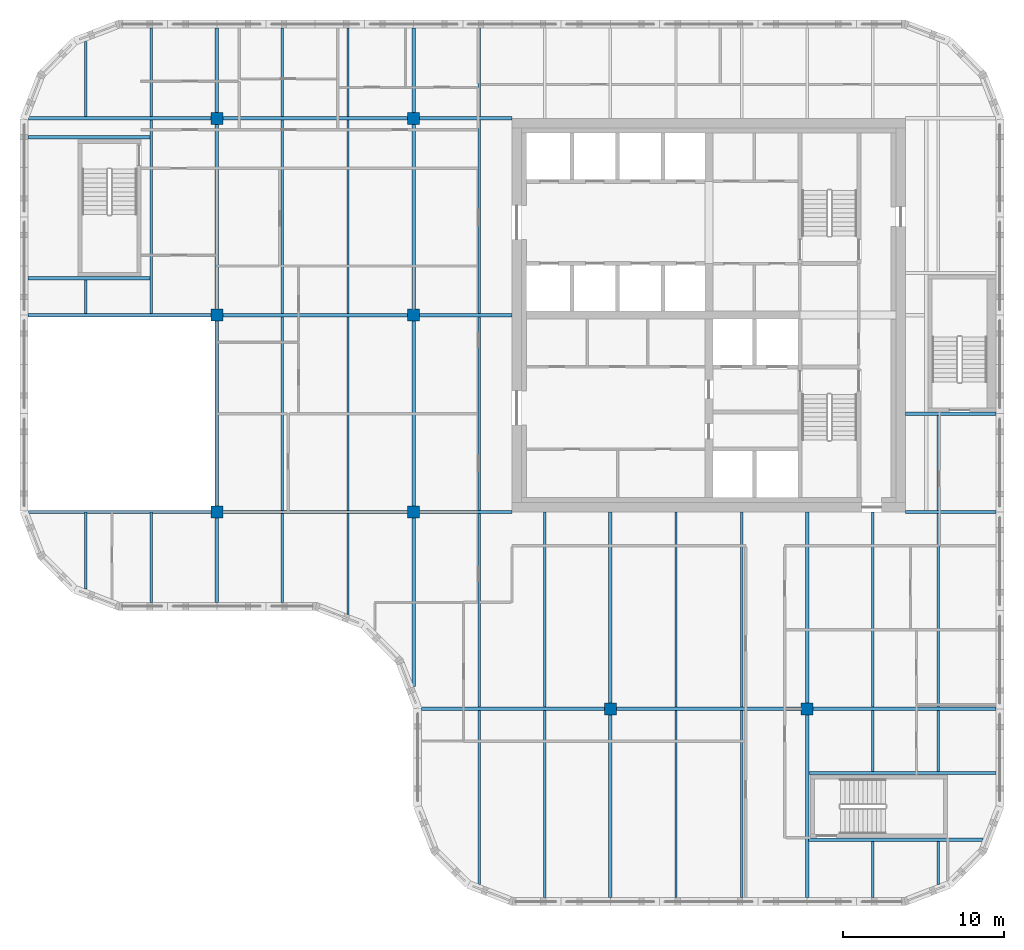
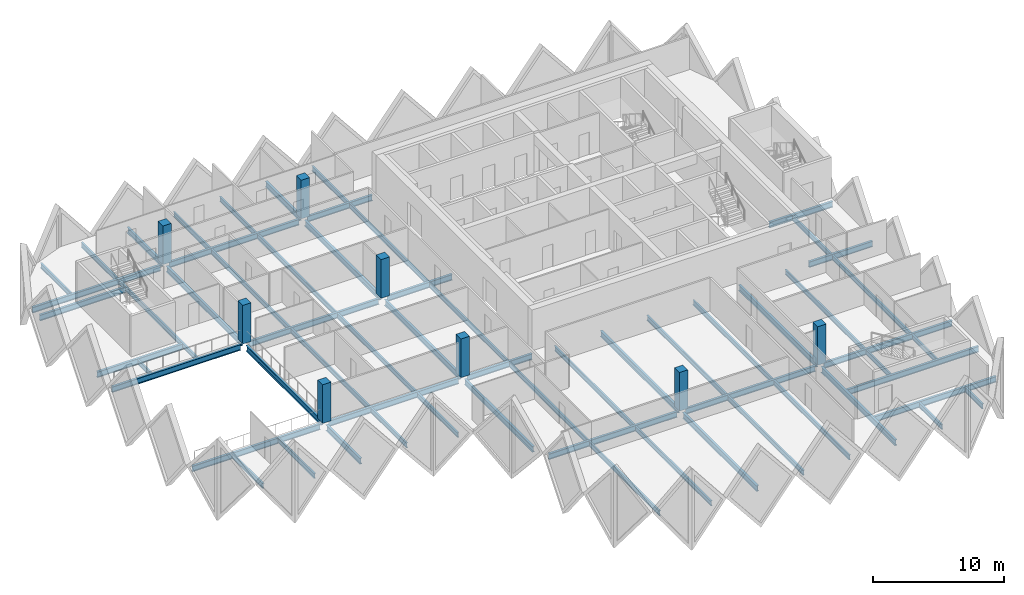
# One storey, part 1 of 11: 62 beams, 8 columns.
"""IFC4 building model written with IfcOpenShell, lengths in metres."""

from ifc_helpers import new_model, si_unit, direction, frame, origin, origin_2d, place, context, subcontext, project, spatial, rectangle, i_section, extrude, material, material_profile, profile_set, type_object, element, save


model = new_model("IFC4")

# Units and contexts
model_context = context("Model", 3, precision=1e-05, world=origin(), true_north=direction((0.0, 1.0)))
body_context = subcontext(model_context, "Body", "Model", "MODEL_VIEW")
ifc_project = project(units=[si_unit("LENGTHUNIT", "METRE"), si_unit("AREAUNIT", "SQUARE_METRE"), si_unit("VOLUMEUNIT", "CUBIC_METRE"), si_unit("PLANEANGLEUNIT", "RADIAN"), si_unit("MASSUNIT", "GRAM", prefix="KILO")], contexts=[model_context])

# Site, building, storey
site_placement = place(None, origin())
site = spatial("IfcSite", under=ifc_project, at=site_placement, CompositionType="ELEMENT")
building_placement = place(site_placement, origin())
building = spatial("IfcBuilding", under=site, at=building_placement, Name="Tessera Gate Towers", CompositionType="ELEMENT")
storey_placement = place(building_placement, frame((0.0, 0.0, 170.60009765625)))
storey = spatial("IfcBuildingStorey", under=building, at=storey_placement, Name="L42", CompositionType="ELEMENT", Elevation=170.60009765625)

# Columns
ifc_material_1 = material(Name="Concrete C70/85", Category="concrete")
ifc_material_profile_1 = material_profile(ifc_material_1, rectangle(XDim=0.75, YDim=0.75, at=origin_2d()), Name="RC 750x750")
ifc_profile_set_1 = profile_set([ifc_material_profile_1], Name="Concrete C70/85")
column_type = type_object("IfcColumnType", Name="COLUMN RC 750x750", PredefinedType="COLUMN", material=ifc_profile_set_1)
for number, where, z_axis, x_axis, name in (
    (1, (12.199951171875, 24.39990234375, 0.0), (0.0, 0.0, 1.0), (1.0, 0.0, 0.0), "T1-COL-2C-L42"),
    (2, (12.199951171875, 36.60009765625, 0.0), (0.0, 0.0, 1.0), (1.0, 0.0, 0.0), "T1-COL-2D-L42"),
    (3, (12.199951171875, 48.800048828125, 0.0), (0.0, 0.0, 1.0), (1.0, 0.0, 0.0), "T1-COL-2E-L42"),
    (4, (24.39990234375, 24.39990234375, 0.0), (0.0, 0.0, 1.0), (1.0, 0.0, 0.0), "T1-COL-3C-L42"),
    (5, (24.39990234375, 36.60009765625, 0.0), (0.0, 0.0, 1.0), (1.0, 0.0, 0.0), "T1-COL-3D-L42"),
    (6, (24.39990234375, 48.800048828125, 0.0), (0.0, 0.0, 1.0), (1.0, 0.0, 0.0), "T1-COL-3E-L42"),
    (7, (36.60009765625, 12.199951171875, 0.0), (0.0, 0.0, 1.0), (1.0, 0.0, 0.0), "T1-COL-4B-L42"),
    (8, (48.800048828125, 12.199951171875, 0.0), (0.0, 0.0, 1.0), (1.0, 0.0, 0.0), "T1-COL-5B-L42"),
):
    element("IfcColumn", number, at=place(storey_placement, frame(where, z_axis=z_axis, x_axis=x_axis)), inside=storey, type_object=column_type, Name=name, PredefinedType="COLUMN", context=body_context, shape_type="SweptSolid", body=[
        extrude(rectangle(XDim=0.75, YDim=0.75, at=origin_2d()), origin(), (0.0, 0.0, 1.0), 3.599853515625),
    ])

# Beams
ifc_material_2 = material(Name="Steel 350W", Category="steel")
ifc_material_profile_2 = material_profile(ifc_material_2, i_section(OverallWidth=0.208984375, OverallDepth=0.532958984375, WebThickness=0.01025390625, FlangeThickness=0.015625, at=origin_2d()), Name="W530x92")
ifc_profile_set_2 = profile_set([ifc_material_profile_2], Name="Steel 350W")
beam_type_1 = type_object("IfcBeamType", Name="FLOOR GIRDER W530x92", PredefinedType="BEAM", material=ifc_profile_set_2)
beam_1_placement = place(storey_placement, frame((24.89892578125, 12.199951171875, -0.466552734375), z_axis=(1.0, 0.0, 0.0), x_axis=(0.0, 1.0, 0.0)))
element("IfcBeam", 9, at=beam_1_placement, inside=storey, type_object=beam_type_1, Name="T1-GD-L42-4664", PredefinedType="BEAM", context=body_context, shape_type="SweptSolid", body=[
    extrude(i_section(OverallWidth=0.208984375, OverallDepth=0.532958984375, WebThickness=0.01025390625, FlangeThickness=0.015625, at=origin_2d()), origin(), (0.0, 0.0, 1.0), 11.326171875),
])
beam_2_placement = place(storey_placement, frame((36.97509765625, 12.199951171875, -0.466552734375), z_axis=(1.0, 0.0, 0.0), x_axis=(0.0, 1.0, 0.0)))
element("IfcBeam", 10, at=beam_2_placement, inside=storey, type_object=beam_type_1, Name="T1-GD-L42-4665", PredefinedType="BEAM", context=body_context, shape_type="SweptSolid", body=[
    extrude(i_section(OverallWidth=0.208984375, OverallDepth=0.532958984375, WebThickness=0.01025390625, FlangeThickness=0.015625, at=origin_2d()), origin(), (0.0, 0.0, 1.0), 11.449951171875),
])
beam_3_placement = place(storey_placement, frame((49.175048828125, 12.199951171875, -0.466552734375), z_axis=(1.0, 0.0, 0.0), x_axis=(0.0, 1.0, 0.0)))
element("IfcBeam", 11, at=beam_3_placement, inside=storey, type_object=beam_type_1, Name="T1-GD-L42-4666", PredefinedType="BEAM", context=body_context, shape_type="SweptSolid", body=[
    extrude(i_section(OverallWidth=0.208984375, OverallDepth=0.532958984375, WebThickness=0.01025390625, FlangeThickness=0.015625, at=origin_2d()), origin(), (0.0, 0.0, 1.0), 11.325927734375),
])
beam_4_placement = place(storey_placement, frame((0.534912109375, 24.39990234375, -0.466552734375), z_axis=(1.0, 0.0, 0.0), x_axis=(0.0, 1.0, 0.0)))
element("IfcBeam", 12, at=beam_4_placement, inside=storey, type_object=beam_type_1, Name="T1-GD-L42-4667", PredefinedType="BEAM", context=body_context, shape_type="SweptSolid", body=[
    extrude(i_section(OverallWidth=0.208984375, OverallDepth=0.532958984375, WebThickness=0.01025390625, FlangeThickness=0.015625, at=origin_2d()), origin(), (0.0, 0.0, 1.0), 11.2900390625),
])
beam_5_placement = place(storey_placement, frame((12.574951171875, 24.39990234375, -0.466552734375), z_axis=(1.0, 0.0, 0.0), x_axis=(0.0, 1.0, 0.0)))
element("IfcBeam", 13, at=beam_5_placement, inside=storey, type_object=beam_type_1, Name="T1-GD-L42-4668", PredefinedType="BEAM", context=body_context, shape_type="SweptSolid", body=[
    extrude(i_section(OverallWidth=0.208984375, OverallDepth=0.532958984375, WebThickness=0.01025390625, FlangeThickness=0.015625, at=origin_2d()), origin(), (0.0, 0.0, 1.0), 11.449951171875),
])
beam_6_placement = place(storey_placement, frame((24.77490234375, 24.39990234375, -0.466552734375), z_axis=(1.0, 0.0, 0.0), x_axis=(0.0, 1.0, 0.0)))
element("IfcBeam", 14, at=beam_6_placement, inside=storey, type_object=beam_type_1, Name="T1-GD-L42-4669", PredefinedType="BEAM", context=body_context, shape_type="SweptSolid", body=[
    extrude(i_section(OverallWidth=0.208984375, OverallDepth=0.532958984375, WebThickness=0.01025390625, FlangeThickness=0.015625, at=origin_2d()), origin(), (0.0, 0.0, 1.0), 5.72412109375),
])
beam_7_placement = place(storey_placement, frame((54.90087890625, 24.39990234375, -0.466552734375), z_axis=(1.0, 0.0, 0.0), x_axis=(0.0, 1.0, 0.0)))
element("IfcBeam", 15, at=beam_7_placement, inside=storey, type_object=beam_type_1, Name="T1-GD-L42-4670", PredefinedType="BEAM", context=body_context, shape_type="SweptSolid", body=[
    extrude(i_section(OverallWidth=0.208984375, OverallDepth=0.532958984375, WebThickness=0.01025390625, FlangeThickness=0.015625, at=origin_2d()), origin(), (0.0, 0.0, 1.0), 5.60009765625),
])
beam_8_placement = place(storey_placement, frame((0.4990234375, 36.60009765625, -0.466552734375), z_axis=(1.0, 0.0, 0.0), x_axis=(0.0, 1.0, 0.0)))
element("IfcBeam", 16, at=beam_8_placement, inside=storey, type_object=beam_type_1, Name="T1-GD-L42-4671", PredefinedType="BEAM", context=body_context, shape_type="SweptSolid", body=[
    extrude(i_section(OverallWidth=0.208984375, OverallDepth=0.532958984375, WebThickness=0.01025390625, FlangeThickness=0.015625, at=origin_2d()), origin(), (0.0, 0.0, 1.0), 11.325927734375),
])
beam_9_placement = place(storey_placement, frame((12.574951171875, 36.60009765625, -0.466552734375), z_axis=(1.0, 0.0, 0.0), x_axis=(0.0, 1.0, 0.0)))
element("IfcBeam", 17, at=beam_9_placement, inside=storey, type_object=beam_type_1, Name="T1-GD-L42-4672", PredefinedType="BEAM", context=body_context, shape_type="SweptSolid", body=[
    extrude(i_section(OverallWidth=0.208984375, OverallDepth=0.532958984375, WebThickness=0.01025390625, FlangeThickness=0.015625, at=origin_2d()), origin(), (0.0, 0.0, 1.0), 11.449951171875),
])
beam_10_placement = place(storey_placement, frame((24.77490234375, 36.60009765625, -0.466552734375), z_axis=(1.0, 0.0, 0.0), x_axis=(0.0, 1.0, 0.0)))
element("IfcBeam", 18, at=beam_10_placement, inside=storey, type_object=beam_type_1, Name="T1-GD-L42-4673", PredefinedType="BEAM", context=body_context, shape_type="SweptSolid", body=[
    extrude(i_section(OverallWidth=0.208984375, OverallDepth=0.532958984375, WebThickness=0.01025390625, FlangeThickness=0.015625, at=origin_2d()), origin(), (0.0, 0.0, 1.0), 5.72607421875),
])
beam_11_placement = place(storey_placement, frame((0.534912109375, 48.800048828125, -0.466552734375), z_axis=(1.0, 0.0, 0.0), x_axis=(0.0, 1.0, 0.0)))
element("IfcBeam", 19, at=beam_11_placement, inside=storey, type_object=beam_type_1, Name="T1-GD-L42-4675", PredefinedType="BEAM", context=body_context, shape_type="SweptSolid", body=[
    extrude(i_section(OverallWidth=0.208984375, OverallDepth=0.532958984375, WebThickness=0.01025390625, FlangeThickness=0.015625, at=origin_2d()), origin(), (0.0, 0.0, 1.0), 11.2900390625),
])
beam_12_placement = place(storey_placement, frame((12.574951171875, 48.800048828125, -0.466552734375), z_axis=(1.0, 0.0, 0.0), x_axis=(0.0, 1.0, 0.0)))
element("IfcBeam", 20, at=beam_12_placement, inside=storey, type_object=beam_type_1, Name="T1-GD-L42-4676", PredefinedType="BEAM", context=body_context, shape_type="SweptSolid", body=[
    extrude(i_section(OverallWidth=0.208984375, OverallDepth=0.532958984375, WebThickness=0.01025390625, FlangeThickness=0.015625, at=origin_2d()), origin(), (0.0, 0.0, 1.0), 11.449951171875),
])
beam_13_placement = place(storey_placement, frame((24.77490234375, 48.800048828125, -0.466552734375), z_axis=(1.0, 0.0, 0.0), x_axis=(0.0, 1.0, 0.0)))
element("IfcBeam", 21, at=beam_13_placement, inside=storey, type_object=beam_type_1, Name="T1-GD-L42-4677", PredefinedType="BEAM", context=body_context, shape_type="SweptSolid", body=[
    extrude(i_section(OverallWidth=0.208984375, OverallDepth=0.532958984375, WebThickness=0.01025390625, FlangeThickness=0.015625, at=origin_2d()), origin(), (0.0, 0.0, 1.0), 5.72412109375),
])
beam_14_placement = place(storey_placement, frame((12.199951171875, 18.799072265625, -0.466552734375), z_axis=(0.0, 1.0, 0.0), x_axis=(-1.0, 0.0, 0.0)))
element("IfcBeam", 22, at=beam_14_placement, inside=storey, type_object=beam_type_1, Name="T1-GD-L42-4679", PredefinedType="BEAM", context=body_context, shape_type="SweptSolid", body=[
    extrude(i_section(OverallWidth=0.208984375, OverallDepth=0.532958984375, WebThickness=0.01025390625, FlangeThickness=0.015625, at=origin_2d()), origin(), (0.0, 0.0, 1.0), 5.225830078125),
])
beam_15_placement = place(storey_placement, frame((12.199951171875, 24.77490234375, -0.466552734375), z_axis=(0.0, 1.0, 0.0), x_axis=(-1.0, 0.0, 0.0)))
element("IfcBeam", 23, at=beam_15_placement, inside=storey, type_object=beam_type_1, Name="T1-GD-L42-4680", PredefinedType="BEAM", context=body_context, shape_type="SweptSolid", body=[
    extrude(i_section(OverallWidth=0.208984375, OverallDepth=0.532958984375, WebThickness=0.01025390625, FlangeThickness=0.015625, at=origin_2d()), origin(), (0.0, 0.0, 1.0), 11.4501953125),
])
beam_16_placement = place(storey_placement, frame((12.199951171875, 36.97509765625, -0.466552734375), z_axis=(0.0, 1.0, 0.0), x_axis=(-1.0, 0.0, 0.0)))
element("IfcBeam", 24, at=beam_16_placement, inside=storey, type_object=beam_type_1, Name="T1-GD-L42-4681", PredefinedType="BEAM", context=body_context, shape_type="SweptSolid", body=[
    extrude(i_section(OverallWidth=0.208984375, OverallDepth=0.532958984375, WebThickness=0.01025390625, FlangeThickness=0.015625, at=origin_2d()), origin(), (0.0, 0.0, 1.0), 11.449951171875),
])
beam_17_placement = place(storey_placement, frame((12.199951171875, 49.175048828125, -0.466552734375), z_axis=(0.0, 1.0, 0.0), x_axis=(-1.0, 0.0, 0.0)))
element("IfcBeam", 25, at=beam_17_placement, inside=storey, type_object=beam_type_1, Name="T1-GD-L42-4682", PredefinedType="BEAM", context=body_context, shape_type="SweptSolid", body=[
    extrude(i_section(OverallWidth=0.208984375, OverallDepth=0.532958984375, WebThickness=0.01025390625, FlangeThickness=0.015625, at=origin_2d()), origin(), (0.0, 0.0, 1.0), 5.225830078125),
])
beam_18_placement = place(storey_placement, frame((24.39990234375, 13.58642578125, -0.466552734375), z_axis=(0.0, 1.0, 0.0), x_axis=(-1.0, 0.0, 0.0)))
element("IfcBeam", 26, at=beam_18_placement, inside=storey, type_object=beam_type_1, Name="T1-GD-L42-4683", PredefinedType="BEAM", context=body_context, shape_type="SweptSolid", body=[
    extrude(i_section(OverallWidth=0.208984375, OverallDepth=0.532958984375, WebThickness=0.01025390625, FlangeThickness=0.015625, at=origin_2d()), origin(), (0.0, 0.0, 1.0), 10.4384765625),
])
beam_19_placement = place(storey_placement, frame((24.39990234375, 24.77490234375, -0.466552734375), z_axis=(0.0, 1.0, 0.0), x_axis=(-1.0, 0.0, 0.0)))
element("IfcBeam", 27, at=beam_19_placement, inside=storey, type_object=beam_type_1, Name="T1-GD-L42-4684", PredefinedType="BEAM", context=body_context, shape_type="SweptSolid", body=[
    extrude(i_section(OverallWidth=0.208984375, OverallDepth=0.532958984375, WebThickness=0.01025390625, FlangeThickness=0.015625, at=origin_2d()), origin(), (0.0, 0.0, 1.0), 11.4501953125),
])
beam_20_placement = place(storey_placement, frame((24.39990234375, 36.97509765625, -0.466552734375), z_axis=(0.0, 1.0, 0.0), x_axis=(-1.0, 0.0, 0.0)))
element("IfcBeam", 28, at=beam_20_placement, inside=storey, type_object=beam_type_1, Name="T1-GD-L42-4685", PredefinedType="BEAM", context=body_context, shape_type="SweptSolid", body=[
    extrude(i_section(OverallWidth=0.208984375, OverallDepth=0.532958984375, WebThickness=0.01025390625, FlangeThickness=0.015625, at=origin_2d()), origin(), (0.0, 0.0, 1.0), 11.449951171875),
])
beam_21_placement = place(storey_placement, frame((24.39990234375, 49.175048828125, -0.466552734375), z_axis=(0.0, 1.0, 0.0), x_axis=(-1.0, 0.0, 0.0)))
element("IfcBeam", 29, at=beam_21_placement, inside=storey, type_object=beam_type_1, Name="T1-GD-L42-4686", PredefinedType="BEAM", context=body_context, shape_type="SweptSolid", body=[
    extrude(i_section(OverallWidth=0.208984375, OverallDepth=0.532958984375, WebThickness=0.01025390625, FlangeThickness=0.015625, at=origin_2d()), origin(), (0.0, 0.0, 1.0), 5.225830078125),
])
beam_22_placement = place(storey_placement, frame((36.60009765625, 0.4990234375, -0.466552734375), z_axis=(0.0, 1.0, 0.0), x_axis=(-1.0, 0.0, 0.0)))
element("IfcBeam", 30, at=beam_22_placement, inside=storey, type_object=beam_type_1, Name="T1-GD-L42-4687", PredefinedType="BEAM", context=body_context, shape_type="SweptSolid", body=[
    extrude(i_section(OverallWidth=0.208984375, OverallDepth=0.532958984375, WebThickness=0.01025390625, FlangeThickness=0.015625, at=origin_2d()), origin(), (0.0, 0.0, 1.0), 11.325927734375),
])
beam_23_placement = place(storey_placement, frame((36.60009765625, 12.574951171875, -0.466552734375), z_axis=(0.0, 1.0, 0.0), x_axis=(-1.0, 0.0, 0.0)))
element("IfcBeam", 31, at=beam_23_placement, inside=storey, type_object=beam_type_1, Name="T1-GD-L42-4688", PredefinedType="BEAM", context=body_context, shape_type="SweptSolid", body=[
    extrude(i_section(OverallWidth=0.208984375, OverallDepth=0.532958984375, WebThickness=0.01025390625, FlangeThickness=0.015625, at=origin_2d()), origin(), (0.0, 0.0, 1.0), 11.824951171875),
])
beam_24_placement = place(storey_placement, frame((48.800048828125, 0.4990234375, -0.466552734375), z_axis=(0.0, 1.0, 0.0), x_axis=(-1.0, 0.0, 0.0)))
element("IfcBeam", 32, at=beam_24_placement, inside=storey, type_object=beam_type_1, Name="T1-GD-L42-4689", PredefinedType="BEAM", context=body_context, shape_type="SweptSolid", body=[
    extrude(i_section(OverallWidth=0.208984375, OverallDepth=0.532958984375, WebThickness=0.01025390625, FlangeThickness=0.015625, at=origin_2d()), origin(), (0.0, 0.0, 1.0), 11.325927734375),
])
beam_25_placement = place(storey_placement, frame((48.800048828125, 12.574951171875, -0.466552734375), z_axis=(0.0, 1.0, 0.0), x_axis=(-1.0, 0.0, 0.0)))
element("IfcBeam", 33, at=beam_25_placement, inside=storey, type_object=beam_type_1, Name="T1-GD-L42-4690", PredefinedType="BEAM", context=body_context, shape_type="SweptSolid", body=[
    extrude(i_section(OverallWidth=0.208984375, OverallDepth=0.532958984375, WebThickness=0.01025390625, FlangeThickness=0.015625, at=origin_2d()), origin(), (0.0, 0.0, 1.0), 11.824951171875),
])
for number, where, z_axis, x_axis, name in (
    (34, (0.4990234375, 38.8798828125, -0.466552734375), (1.0, 0.0, 0.0), (0.0, 1.0, 0.0), "T1-GD-L42-4691"),
    (35, (0.4990234375, 47.6201171875, -0.466552734375), (1.0, 0.0, 0.0), (0.0, 1.0, 0.0), "T1-GD-L42-4692"),
):
    element("IfcBeam", number, at=place(storey_placement, frame(where, z_axis=z_axis, x_axis=x_axis)), inside=storey, type_object=beam_type_1, Name=name, PredefinedType="BEAM", context=body_context, shape_type="SweptSolid", body=[
        extrude(i_section(OverallWidth=0.208984375, OverallDepth=0.532958984375, WebThickness=0.01025390625, FlangeThickness=0.015625, at=origin_2d()), origin(), (0.0, 0.0, 1.0), 7.557861328125),
    ])
beam_26_placement = place(storey_placement, frame((48.87646484375, 4.080078125, -0.466552734375), z_axis=(1.0, 0.0, 0.0), x_axis=(0.0, 1.0, 0.0)))
element("IfcBeam", 36, at=beam_26_placement, inside=storey, type_object=beam_type_1, Name="T1-GD-L42-4693", PredefinedType="BEAM", context=body_context, shape_type="SweptSolid", body=[
    extrude(i_section(OverallWidth=0.208984375, OverallDepth=0.532958984375, WebThickness=0.01025390625, FlangeThickness=0.015625, at=origin_2d()), origin(), (0.0, 0.0, 1.0), 10.809326171875),
])
beam_27_placement = place(storey_placement, frame((48.87646484375, 8.219970703125, -0.466552734375), z_axis=(1.0, 0.0, 0.0), x_axis=(0.0, 1.0, 0.0)))
element("IfcBeam", 37, at=beam_27_placement, inside=storey, type_object=beam_type_1, Name="T1-GD-L42-4694", PredefinedType="BEAM", context=body_context, shape_type="SweptSolid", body=[
    extrude(i_section(OverallWidth=0.208984375, OverallDepth=0.532958984375, WebThickness=0.01025390625, FlangeThickness=0.015625, at=origin_2d()), origin(), (0.0, 0.0, 1.0), 11.62451171875),
])
beam_28_placement = place(storey_placement, frame((54.89892578125, 30.47998046875, -0.466552734375), z_axis=(1.0, 0.0, 0.0), x_axis=(0.0, 1.0, 0.0)))
element("IfcBeam", 38, at=beam_28_placement, inside=storey, type_object=beam_type_1, Name="T1-GD-L42-4695", PredefinedType="BEAM", context=body_context, shape_type="SweptSolid", body=[
    extrude(i_section(OverallWidth=0.208984375, OverallDepth=0.532958984375, WebThickness=0.01025390625, FlangeThickness=0.015625, at=origin_2d()), origin(), (0.0, 0.0, 1.0), 5.60205078125),
])
ifc_material_3 = material(Name="Steel 350W", Category="steel")
ifc_material_profile_3 = material_profile(ifc_material_3, i_section(OverallWidth=0.153076171875, OverallDepth=0.455078125, WebThickness=0.008056640625, FlangeThickness=0.01318359375, at=origin_2d()), Name="W460x60")
ifc_profile_set_3 = profile_set([ifc_material_profile_3], Name="Steel 350W")
beam_type_2 = type_object("IfcBeamType", Name="FLOOR SECONDARY W460x60", PredefinedType="BEAM", material=ifc_profile_set_3)
beam_29_placement = place(storey_placement, frame((4.066650390625, 19.620361328125, -0.427490234375), z_axis=(0.0, 1.0, 0.0), x_axis=(-1.0, 0.0, 0.0)))
element("IfcBeam", 39, at=beam_29_placement, inside=storey, type_object=beam_type_2, Name="T1-BM-L42-4698", PredefinedType="BEAM", context=body_context, shape_type="SweptSolid", body=[
    extrude(i_section(OverallWidth=0.153076171875, OverallDepth=0.455078125, WebThickness=0.008056640625, FlangeThickness=0.01318359375, at=origin_2d()), origin(), (0.0, 0.0, 1.0), 4.779541015625),
])
beam_30_placement = place(storey_placement, frame((4.066650390625, 36.70458984375, -0.427490234375), z_axis=(0.0, 1.0, 0.0), x_axis=(-1.0, 0.0, 0.0)))
element("IfcBeam", 40, at=beam_30_placement, inside=storey, type_object=beam_type_2, Name="T1-BM-L42-4699", PredefinedType="BEAM", context=body_context, shape_type="SweptSolid", body=[
    extrude(i_section(OverallWidth=0.153076171875, OverallDepth=0.455078125, WebThickness=0.008056640625, FlangeThickness=0.01318359375, at=origin_2d()), origin(), (0.0, 0.0, 1.0), 2.07080078125),
])
beam_31_placement = place(storey_placement, frame((4.066650390625, 48.904541015625, -0.427490234375), z_axis=(0.0, 1.0, 0.0), x_axis=(-1.0, 0.0, 0.0)))
element("IfcBeam", 41, at=beam_31_placement, inside=storey, type_object=beam_type_2, Name="T1-BM-L42-4700", PredefinedType="BEAM", context=body_context, shape_type="SweptSolid", body=[
    extrude(i_section(OverallWidth=0.153076171875, OverallDepth=0.455078125, WebThickness=0.008056640625, FlangeThickness=0.01318359375, at=origin_2d()), origin(), (0.0, 0.0, 1.0), 4.675048828125),
])
beam_32_placement = place(storey_placement, frame((8.13330078125, 18.800048828125, -0.427490234375), z_axis=(0.0, 1.0, 0.0), x_axis=(-1.0, 0.0, 0.0)))
element("IfcBeam", 42, at=beam_32_placement, inside=storey, type_object=beam_type_2, Name="T1-BM-L42-4701", PredefinedType="BEAM", context=body_context, shape_type="SweptSolid", body=[
    extrude(i_section(OverallWidth=0.153076171875, OverallDepth=0.455078125, WebThickness=0.008056640625, FlangeThickness=0.01318359375, at=origin_2d()), origin(), (0.0, 0.0, 1.0), 5.599853515625),
])
beam_33_placement = place(storey_placement, frame((8.13330078125, 36.70458984375, -0.427490234375), z_axis=(0.0, 1.0, 0.0), x_axis=(-1.0, 0.0, 0.0)))
element("IfcBeam", 43, at=beam_33_placement, inside=storey, type_object=beam_type_2, Name="T1-BM-L42-4702", PredefinedType="BEAM", context=body_context, shape_type="SweptSolid", body=[
    extrude(i_section(OverallWidth=0.153076171875, OverallDepth=0.455078125, WebThickness=0.008056640625, FlangeThickness=0.01318359375, at=origin_2d()), origin(), (0.0, 0.0, 1.0), 11.990966796875),
])
for number, where, z_axis, x_axis, name in (
    (44, (8.13330078125, 48.904541015625, -0.427490234375), (0.0, 1.0, 0.0), (-1.0, 0.0, 0.0), "T1-BM-L42-4703"),
    (45, (16.2666015625, 18.800048828125, -0.427490234375), (0.0, 1.0, 0.0), (-1.0, 0.0, 0.0), "T1-BM-L42-4704"),
):
    element("IfcBeam", number, at=place(storey_placement, frame(where, z_axis=z_axis, x_axis=x_axis)), inside=storey, type_object=beam_type_2, Name=name, PredefinedType="BEAM", context=body_context, shape_type="SweptSolid", body=[
        extrude(i_section(OverallWidth=0.153076171875, OverallDepth=0.455078125, WebThickness=0.008056640625, FlangeThickness=0.01318359375, at=origin_2d()), origin(), (0.0, 0.0, 1.0), 5.495361328125),
    ])
beam_34_placement = place(storey_placement, frame((16.2666015625, 24.50439453125, -0.427490234375), z_axis=(0.0, 1.0, 0.0), x_axis=(-1.0, 0.0, 0.0)))
element("IfcBeam", 46, at=beam_34_placement, inside=storey, type_object=beam_type_2, Name="T1-BM-L42-4705", PredefinedType="BEAM", context=body_context, shape_type="SweptSolid", body=[
    extrude(i_section(OverallWidth=0.153076171875, OverallDepth=0.455078125, WebThickness=0.008056640625, FlangeThickness=0.01318359375, at=origin_2d()), origin(), (0.0, 0.0, 1.0), 11.9912109375),
])
beam_35_placement = place(storey_placement, frame((16.2666015625, 36.70458984375, -0.427490234375), z_axis=(0.0, 1.0, 0.0), x_axis=(-1.0, 0.0, 0.0)))
element("IfcBeam", 47, at=beam_35_placement, inside=storey, type_object=beam_type_2, Name="T1-BM-L42-4706", PredefinedType="BEAM", context=body_context, shape_type="SweptSolid", body=[
    extrude(i_section(OverallWidth=0.153076171875, OverallDepth=0.455078125, WebThickness=0.008056640625, FlangeThickness=0.01318359375, at=origin_2d()), origin(), (0.0, 0.0, 1.0), 11.990966796875),
])
beam_36_placement = place(storey_placement, frame((16.2666015625, 48.904541015625, -0.427490234375), z_axis=(0.0, 1.0, 0.0), x_axis=(-1.0, 0.0, 0.0)))
element("IfcBeam", 48, at=beam_36_placement, inside=storey, type_object=beam_type_2, Name="T1-BM-L42-4707", PredefinedType="BEAM", context=body_context, shape_type="SweptSolid", body=[
    extrude(i_section(OverallWidth=0.153076171875, OverallDepth=0.455078125, WebThickness=0.008056640625, FlangeThickness=0.01318359375, at=origin_2d()), origin(), (0.0, 0.0, 1.0), 5.495361328125),
])
beam_37_placement = place(storey_placement, frame((20.333251953125, 18.051513671875, -0.427490234375), z_axis=(0.0, 1.0, 0.0), x_axis=(-1.0, 0.0, 0.0)))
element("IfcBeam", 49, at=beam_37_placement, inside=storey, type_object=beam_type_2, Name="T1-BM-L42-4708", PredefinedType="BEAM", context=body_context, shape_type="SweptSolid", body=[
    extrude(i_section(OverallWidth=0.153076171875, OverallDepth=0.455078125, WebThickness=0.008056640625, FlangeThickness=0.01318359375, at=origin_2d()), origin(), (0.0, 0.0, 1.0), 6.243896484375),
])
beam_38_placement = place(storey_placement, frame((20.333251953125, 24.50439453125, -0.427490234375), z_axis=(0.0, 1.0, 0.0), x_axis=(-1.0, 0.0, 0.0)))
element("IfcBeam", 50, at=beam_38_placement, inside=storey, type_object=beam_type_2, Name="T1-BM-L42-4709", PredefinedType="BEAM", context=body_context, shape_type="SweptSolid", body=[
    extrude(i_section(OverallWidth=0.153076171875, OverallDepth=0.455078125, WebThickness=0.008056640625, FlangeThickness=0.01318359375, at=origin_2d()), origin(), (0.0, 0.0, 1.0), 11.9912109375),
])
beam_39_placement = place(storey_placement, frame((20.333251953125, 36.70458984375, -0.427490234375), z_axis=(0.0, 1.0, 0.0), x_axis=(-1.0, 0.0, 0.0)))
element("IfcBeam", 51, at=beam_39_placement, inside=storey, type_object=beam_type_2, Name="T1-BM-L42-4710", PredefinedType="BEAM", context=body_context, shape_type="SweptSolid", body=[
    extrude(i_section(OverallWidth=0.153076171875, OverallDepth=0.455078125, WebThickness=0.008056640625, FlangeThickness=0.01318359375, at=origin_2d()), origin(), (0.0, 0.0, 1.0), 11.990966796875),
])
beam_40_placement = place(storey_placement, frame((20.333251953125, 48.904541015625, -0.427490234375), z_axis=(0.0, 1.0, 0.0), x_axis=(-1.0, 0.0, 0.0)))
element("IfcBeam", 52, at=beam_40_placement, inside=storey, type_object=beam_type_2, Name="T1-BM-L42-4711", PredefinedType="BEAM", context=body_context, shape_type="SweptSolid", body=[
    extrude(i_section(OverallWidth=0.153076171875, OverallDepth=0.455078125, WebThickness=0.008056640625, FlangeThickness=0.01318359375, at=origin_2d()), origin(), (0.0, 0.0, 1.0), 5.495361328125),
])
beam_41_placement = place(storey_placement, frame((28.466796875, 1.3203125, -0.427490234375), z_axis=(0.0, 1.0, 0.0), x_axis=(-1.0, 0.0, 0.0)))
element("IfcBeam", 53, at=beam_41_placement, inside=storey, type_object=beam_type_2, Name="T1-BM-L42-4712", PredefinedType="BEAM", context=body_context, shape_type="SweptSolid", body=[
    extrude(i_section(OverallWidth=0.153076171875, OverallDepth=0.455078125, WebThickness=0.008056640625, FlangeThickness=0.01318359375, at=origin_2d()), origin(), (0.0, 0.0, 1.0), 10.775146484375),
])
beam_42_placement = place(storey_placement, frame((28.466796875, 12.304443359375, -0.427490234375), z_axis=(0.0, 1.0, 0.0), x_axis=(-1.0, 0.0, 0.0)))
element("IfcBeam", 54, at=beam_42_placement, inside=storey, type_object=beam_type_2, Name="T1-BM-L42-4713", PredefinedType="BEAM", context=body_context, shape_type="SweptSolid", body=[
    extrude(i_section(OverallWidth=0.153076171875, OverallDepth=0.455078125, WebThickness=0.008056640625, FlangeThickness=0.01318359375, at=origin_2d()), origin(), (0.0, 0.0, 1.0), 11.990966796875),
])
beam_43_placement = place(storey_placement, frame((28.466796875, 24.50439453125, -0.427490234375), z_axis=(0.0, 1.0, 0.0), x_axis=(-1.0, 0.0, 0.0)))
element("IfcBeam", 55, at=beam_43_placement, inside=storey, type_object=beam_type_2, Name="T1-BM-L42-4714", PredefinedType="BEAM", context=body_context, shape_type="SweptSolid", body=[
    extrude(i_section(OverallWidth=0.153076171875, OverallDepth=0.455078125, WebThickness=0.008056640625, FlangeThickness=0.01318359375, at=origin_2d()), origin(), (0.0, 0.0, 1.0), 11.9912109375),
])
beam_44_placement = place(storey_placement, frame((28.466796875, 36.70458984375, -0.427490234375), z_axis=(0.0, 1.0, 0.0), x_axis=(-1.0, 0.0, 0.0)))
element("IfcBeam", 56, at=beam_44_placement, inside=storey, type_object=beam_type_2, Name="T1-BM-L42-4715", PredefinedType="BEAM", context=body_context, shape_type="SweptSolid", body=[
    extrude(i_section(OverallWidth=0.153076171875, OverallDepth=0.455078125, WebThickness=0.008056640625, FlangeThickness=0.01318359375, at=origin_2d()), origin(), (0.0, 0.0, 1.0), 11.990966796875),
])
beam_45_placement = place(storey_placement, frame((28.466796875, 48.904541015625, -0.427490234375), z_axis=(0.0, 1.0, 0.0), x_axis=(-1.0, 0.0, 0.0)))
element("IfcBeam", 57, at=beam_45_placement, inside=storey, type_object=beam_type_2, Name="T1-BM-L42-4716", PredefinedType="BEAM", context=body_context, shape_type="SweptSolid", body=[
    extrude(i_section(OverallWidth=0.153076171875, OverallDepth=0.455078125, WebThickness=0.008056640625, FlangeThickness=0.01318359375, at=origin_2d()), origin(), (0.0, 0.0, 1.0), 5.495361328125),
])
beam_46_placement = place(storey_placement, frame((32.533203125, 0.5, -0.427490234375), z_axis=(0.0, 1.0, 0.0), x_axis=(-1.0, 0.0, 0.0)))
element("IfcBeam", 58, at=beam_46_placement, inside=storey, type_object=beam_type_2, Name="T1-BM-L42-4717", PredefinedType="BEAM", context=body_context, shape_type="SweptSolid", body=[
    extrude(i_section(OverallWidth=0.153076171875, OverallDepth=0.455078125, WebThickness=0.008056640625, FlangeThickness=0.01318359375, at=origin_2d()), origin(), (0.0, 0.0, 1.0), 11.595458984375),
])
beam_47_placement = place(storey_placement, frame((32.533203125, 12.304443359375, -0.427490234375), z_axis=(0.0, 1.0, 0.0), x_axis=(-1.0, 0.0, 0.0)))
element("IfcBeam", 59, at=beam_47_placement, inside=storey, type_object=beam_type_2, Name="T1-BM-L42-4718", PredefinedType="BEAM", context=body_context, shape_type="SweptSolid", body=[
    extrude(i_section(OverallWidth=0.153076171875, OverallDepth=0.455078125, WebThickness=0.008056640625, FlangeThickness=0.01318359375, at=origin_2d()), origin(), (0.0, 0.0, 1.0), 12.095458984375),
])
beam_48_placement = place(storey_placement, frame((40.666748046875, 0.5, -0.427490234375), z_axis=(0.0, 1.0, 0.0), x_axis=(-1.0, 0.0, 0.0)))
element("IfcBeam", 60, at=beam_48_placement, inside=storey, type_object=beam_type_2, Name="T1-BM-L42-4721", PredefinedType="BEAM", context=body_context, shape_type="SweptSolid", body=[
    extrude(i_section(OverallWidth=0.153076171875, OverallDepth=0.455078125, WebThickness=0.008056640625, FlangeThickness=0.01318359375, at=origin_2d()), origin(), (0.0, 0.0, 1.0), 11.595458984375),
])
beam_49_placement = place(storey_placement, frame((40.666748046875, 12.304443359375, -0.427490234375), z_axis=(0.0, 1.0, 0.0), x_axis=(-1.0, 0.0, 0.0)))
element("IfcBeam", 61, at=beam_49_placement, inside=storey, type_object=beam_type_2, Name="T1-BM-L42-4722", PredefinedType="BEAM", context=body_context, shape_type="SweptSolid", body=[
    extrude(i_section(OverallWidth=0.153076171875, OverallDepth=0.455078125, WebThickness=0.008056640625, FlangeThickness=0.01318359375, at=origin_2d()), origin(), (0.0, 0.0, 1.0), 12.095458984375),
])
beam_50_placement = place(storey_placement, frame((44.7333984375, 0.5, -0.427490234375), z_axis=(0.0, 1.0, 0.0), x_axis=(-1.0, 0.0, 0.0)))
element("IfcBeam", 62, at=beam_50_placement, inside=storey, type_object=beam_type_2, Name="T1-BM-L42-4724", PredefinedType="BEAM", context=body_context, shape_type="SweptSolid", body=[
    extrude(i_section(OverallWidth=0.153076171875, OverallDepth=0.455078125, WebThickness=0.008056640625, FlangeThickness=0.01318359375, at=origin_2d()), origin(), (0.0, 0.0, 1.0), 11.595458984375),
])
beam_51_placement = place(storey_placement, frame((44.7333984375, 12.304443359375, -0.427490234375), z_axis=(0.0, 1.0, 0.0), x_axis=(-1.0, 0.0, 0.0)))
element("IfcBeam", 63, at=beam_51_placement, inside=storey, type_object=beam_type_2, Name="T1-BM-L42-4725", PredefinedType="BEAM", context=body_context, shape_type="SweptSolid", body=[
    extrude(i_section(OverallWidth=0.153076171875, OverallDepth=0.455078125, WebThickness=0.008056640625, FlangeThickness=0.01318359375, at=origin_2d()), origin(), (0.0, 0.0, 1.0), 12.095458984375),
])
beam_52_placement = place(storey_placement, frame((52.86669921875, 0.5, -0.427490234375), z_axis=(0.0, 1.0, 0.0), x_axis=(-1.0, 0.0, 0.0)))
element("IfcBeam", 64, at=beam_52_placement, inside=storey, type_object=beam_type_2, Name="T1-BM-L42-4728", PredefinedType="BEAM", context=body_context, shape_type="SweptSolid", body=[
    extrude(i_section(OverallWidth=0.153076171875, OverallDepth=0.455078125, WebThickness=0.008056640625, FlangeThickness=0.01318359375, at=origin_2d()), origin(), (0.0, 0.0, 1.0), 3.4755859375),
])
beam_53_placement = place(storey_placement, frame((52.86669921875, 8.324462890625, -0.427490234375), z_axis=(0.0, 1.0, 0.0), x_axis=(-1.0, 0.0, 0.0)))
element("IfcBeam", 65, at=beam_53_placement, inside=storey, type_object=beam_type_2, Name="T1-BM-L42-4729", PredefinedType="BEAM", context=body_context, shape_type="SweptSolid", body=[
    extrude(i_section(OverallWidth=0.153076171875, OverallDepth=0.455078125, WebThickness=0.008056640625, FlangeThickness=0.01318359375, at=origin_2d()), origin(), (0.0, 0.0, 1.0), 3.77099609375),
])
beam_54_placement = place(storey_placement, frame((52.86669921875, 12.304443359375, -0.427490234375), z_axis=(0.0, 1.0, 0.0), x_axis=(-1.0, 0.0, 0.0)))
element("IfcBeam", 66, at=beam_54_placement, inside=storey, type_object=beam_type_2, Name="T1-BM-L42-4730", PredefinedType="BEAM", context=body_context, shape_type="SweptSolid", body=[
    extrude(i_section(OverallWidth=0.153076171875, OverallDepth=0.455078125, WebThickness=0.008056640625, FlangeThickness=0.01318359375, at=origin_2d()), origin(), (0.0, 0.0, 1.0), 12.095458984375),
])
beam_55_placement = place(storey_placement, frame((56.933349609375, 1.3203125, -0.427490234375), z_axis=(0.0, 1.0, 0.0), x_axis=(-1.0, 0.0, 0.0)))
element("IfcBeam", 67, at=beam_55_placement, inside=storey, type_object=beam_type_2, Name="T1-BM-L42-4732", PredefinedType="BEAM", context=body_context, shape_type="SweptSolid", body=[
    extrude(i_section(OverallWidth=0.153076171875, OverallDepth=0.455078125, WebThickness=0.008056640625, FlangeThickness=0.01318359375, at=origin_2d()), origin(), (0.0, 0.0, 1.0), 2.6552734375),
])
beam_56_placement = place(storey_placement, frame((56.933349609375, 8.324462890625, -0.427490234375), z_axis=(0.0, 1.0, 0.0), x_axis=(-1.0, 0.0, 0.0)))
element("IfcBeam", 68, at=beam_56_placement, inside=storey, type_object=beam_type_2, Name="T1-BM-L42-4733", PredefinedType="BEAM", context=body_context, shape_type="SweptSolid", body=[
    extrude(i_section(OverallWidth=0.153076171875, OverallDepth=0.455078125, WebThickness=0.008056640625, FlangeThickness=0.01318359375, at=origin_2d()), origin(), (0.0, 0.0, 1.0), 3.77099609375),
])
beam_57_placement = place(storey_placement, frame((56.933349609375, 12.304443359375, -0.427490234375), z_axis=(0.0, 1.0, 0.0), x_axis=(-1.0, 0.0, 0.0)))
element("IfcBeam", 69, at=beam_57_placement, inside=storey, type_object=beam_type_2, Name="T1-BM-L42-4734", PredefinedType="BEAM", context=body_context, shape_type="SweptSolid", body=[
    extrude(i_section(OverallWidth=0.153076171875, OverallDepth=0.455078125, WebThickness=0.008056640625, FlangeThickness=0.01318359375, at=origin_2d()), origin(), (0.0, 0.0, 1.0), 11.990966796875),
])
beam_58_placement = place(storey_placement, frame((56.933349609375, 24.50439453125, -0.427490234375), z_axis=(0.0, 1.0, 0.0), x_axis=(-1.0, 0.0, 0.0)))
element("IfcBeam", 70, at=beam_58_placement, inside=storey, type_object=beam_type_2, Name="T1-BM-L42-4735", PredefinedType="BEAM", context=body_context, shape_type="SweptSolid", body=[
    extrude(i_section(OverallWidth=0.153076171875, OverallDepth=0.455078125, WebThickness=0.008056640625, FlangeThickness=0.01318359375, at=origin_2d()), origin(), (0.0, 0.0, 1.0), 5.87109375),
])

save(model, "model.ifc")
